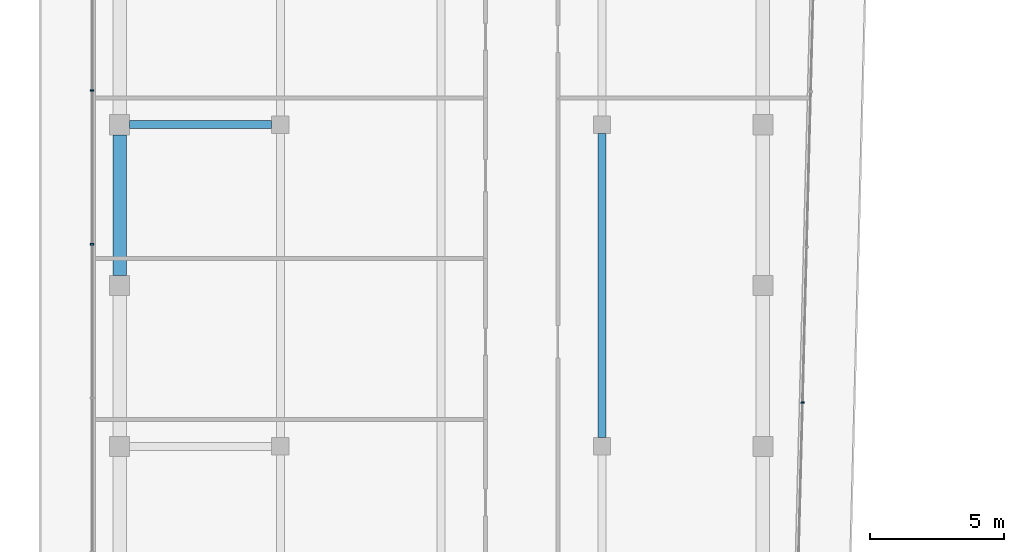
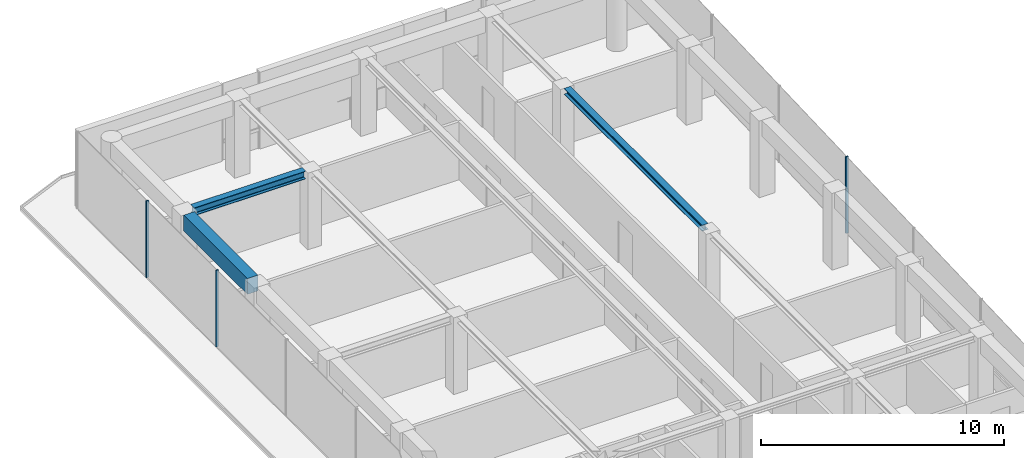
# One storey, part 10 of 18: 3 beams, 3 members, 2 elements without a shape of their own.
"""IFC4 building model written with IfcOpenShell, lengths in metres."""

from ifc_helpers import new_model, si_unit, direction, frame, origin, origin_2d, place, context, subcontext, project, spatial, rectangle, i_section, extrude, material, layer, layer_set, material_profile, profile_set, type_object, element, aggregate, save


model = new_model("IFC4")

# Units and contexts
model_context = context("Model", 3, precision=1e-05, world=origin(), true_north=direction((0.0, 1.0)))
body_context = subcontext(model_context, "Body", "Model", "MODEL_VIEW")
ifc_project = project(units=[si_unit("LENGTHUNIT", "METRE"), si_unit("AREAUNIT", "SQUARE_METRE"), si_unit("VOLUMEUNIT", "CUBIC_METRE"), si_unit("PLANEANGLEUNIT", "RADIAN"), si_unit("MASSUNIT", "GRAM", prefix="KILO")], contexts=[model_context])

# Site, building, storey
site_placement = place(None, origin())
site = spatial("IfcSite", under=ifc_project, at=site_placement, CompositionType="ELEMENT")
building_placement = place(site_placement, origin())
building = spatial("IfcBuilding", under=site, at=building_placement, Name="Welwitschia Terrace Campus", CompositionType="ELEMENT")
storey_placement = place(building_placement, frame((0.0, 0.0, 281.0)))
storey = spatial("IfcBuildingStorey", under=building, at=storey_placement, Name="L62", CompositionType="ELEMENT", Elevation=281.0)

# Beam
ifc_material_1 = material(Name="Steel S355", Category="steel")
ifc_material_profile_1 = material_profile(ifc_material_1, i_section(OverallWidth=0.300048828125, OverallDepth=0.300048828125, WebThickness=0.010986328125, FlangeThickness=0.01904296875, FilletRadius=0.027099609375, at=origin_2d()))
ifc_profile_set_1 = profile_set([ifc_material_profile_1], Name="Steel S355")
beam_type_1 = type_object("IfcBeamType", Name="Interior girder HE 300 B", PredefinedType="BEAM", material=ifc_profile_set_1)
beam_1_placement = place(storey_placement, frame((18.0, 44.325439453125, 3.699951171875), z_axis=(0.0, 1.0, 0.0), x_axis=(-1.0, 0.0, 0.0)))
element("IfcBeam", 1, at=beam_1_placement, inside=storey, type_object=beam_type_1, Name="Girder GB6", PredefinedType="BEAM", context=body_context, shape_type="SweptSolid", body=[
    extrude(i_section(OverallWidth=0.300048828125, OverallDepth=0.300048828125, WebThickness=0.010986328125, FlangeThickness=0.01904296875, FilletRadius=0.027099609375, at=origin_2d()), origin(), (0.0, 0.0, 1.0), 11.34912109375),
])

# Curtain wall, members
ifc_material_2 = material(Name="Bronze anodised aluminium", Category="aluminium")
ifc_layer = layer(ifc_material_2, 0.1201171875)
ifc_layer_set = layer_set([ifc_layer], Name="Bronze anodised aluminium")
curtain_wall_type = type_object("IfcCurtainWallType", Name="Curtain wall CW2 tower 6000", PredefinedType="NOTDEFINED", material=ifc_layer_set)
curtain_wall_1_placement = place(storey_placement, origin())
curtain_wall_1 = element("IfcCurtainWall", 2, at=curtain_wall_1_placement, inside=storey, type_object=curtain_wall_type, Name="CW L62.0.0", PredefinedType="NOTDEFINED")
ifc_material_3 = material(Name="Bronze anodised aluminium", Category="aluminium")
ifc_material_profile_2 = material_profile(ifc_material_3, rectangle(XDim=0.1201171875, YDim=0.06005859375, at=origin_2d()))
ifc_profile_set_2 = profile_set([ifc_material_profile_2], Name="Bronze anodised aluminium")
member_type = type_object("IfcMemberType", Name="Mullion 60x120", PredefinedType="MULLION", material=ifc_profile_set_2)
member_1_placement = place(storey_placement, frame((-1.030029296875, 57.28076171875, 0.0), z_axis=(0.0, 0.0, 1.0), x_axis=(1.0, 0.0, 0.0)))
member_1 = element("IfcMember", 3, at=member_1_placement, type_object=member_type, Name="Mullion L62.0.0.1", PredefinedType="MULLION", context=body_context, shape_type="SweptSolid", body=[
    extrude(rectangle(XDim=0.1201171875, YDim=0.06005859375, at=origin_2d()), origin(), (0.0, 0.0, 1.0), 3.85009765625),
])
member_2_placement = place(storey_placement, frame((-1.030029296875, 51.54150390625, 0.0), z_axis=(0.0, 0.0, 1.0), x_axis=(1.0, 0.0, 0.0)))
member_2 = element("IfcMember", 4, at=member_2_placement, type_object=member_type, Name="Mullion L62.0.0.2", PredefinedType="MULLION", context=body_context, shape_type="SweptSolid", body=[
    extrude(rectangle(XDim=0.1201171875, YDim=0.06005859375, at=origin_2d()), origin(), (0.0, 0.0, 1.0), 3.85009765625),
])
aggregate(curtain_wall_1, [member_1, member_2])

# Curtain wall, member
curtain_wall_2_placement = place(storey_placement, origin())
curtain_wall_2 = element("IfcCurtainWall", 5, at=curtain_wall_2_placement, inside=storey, type_object=curtain_wall_type, Name="CW L62.9.0", PredefinedType="NOTDEFINED")
member_3_placement = place(storey_placement, frame((25.4853515625, 45.63671875, 0.0), z_axis=(0.0, 0.0, 1.0), x_axis=(-0.999657324976, 0.026176948308, 0.0)))
member_3 = element("IfcMember", 6, at=member_3_placement, type_object=member_type, Name="Mullion L62.9.0.3", PredefinedType="MULLION", context=body_context, shape_type="SweptSolid", body=[
    extrude(rectangle(XDim=0.1201171875, YDim=0.06005859375, at=origin_2d()), origin(), (0.0, 0.0, 1.0), 3.85009765625),
])
aggregate(curtain_wall_2, [member_3])

# Beams
ifc_material_4 = material(Name="Steel S355", Category="steel")
ifc_material_profile_3 = material_profile(ifc_material_4, i_section(OverallWidth=0.300048828125, OverallDepth=0.39990234375, WebThickness=0.013427734375, FlangeThickness=0.02392578125, FilletRadius=0.027099609375, at=origin_2d()))
ifc_profile_set_3 = profile_set([ifc_material_profile_3], Name="Steel S355")
beam_type_2 = type_object("IfcBeamType", Name="Primary beam HE 400 B", PredefinedType="BEAM", material=ifc_profile_set_3)
beam_2_placement = place(storey_placement, frame((0.37548828125, 56.0, 3.64990234375), z_axis=(1.0, 0.0, 0.0), x_axis=(0.0, 1.0, 0.0)))
element("IfcBeam", 7, at=beam_2_placement, inside=storey, type_object=beam_type_2, Name="Primary beam PB6", PredefinedType="BEAM", context=body_context, shape_type="SweptSolid", body=[
    extrude(i_section(OverallWidth=0.300048828125, OverallDepth=0.39990234375, WebThickness=0.013427734375, FlangeThickness=0.02392578125, FilletRadius=0.027099609375, at=origin_2d()), origin(), (0.0, 0.0, 1.0), 5.299072265625),
])
ifc_material_5 = material(Name="Concrete C50/60", Category="concrete")
ifc_material_profile_4 = material_profile(ifc_material_5, rectangle(XDim=0.5, YDim=0.800048828125, at=origin_2d()))
ifc_profile_set_4 = profile_set([ifc_material_profile_4], Name="Concrete C50/60")
beam_type_3 = type_object("IfcBeamType", Name="Ring spandrel 500x800", PredefinedType="SPANDREL", material=ifc_profile_set_4)
beam_3_placement = place(storey_placement, frame((0.0, 55.62451171875, 3.449951171875), z_axis=(0.0, -1.0, 0.0), x_axis=(1.0, 0.0, 0.0)))
element("IfcBeam", 8, at=beam_3_placement, inside=storey, type_object=beam_type_3, Name="Spandrel SP4", PredefinedType="SPANDREL", context=body_context, shape_type="SweptSolid", body=[
    extrude(rectangle(XDim=0.5, YDim=0.800048828125, at=origin_2d()), origin(), (0.0, 0.0, 1.0), 5.2490234375),
])

save(model, "model.ifc")
